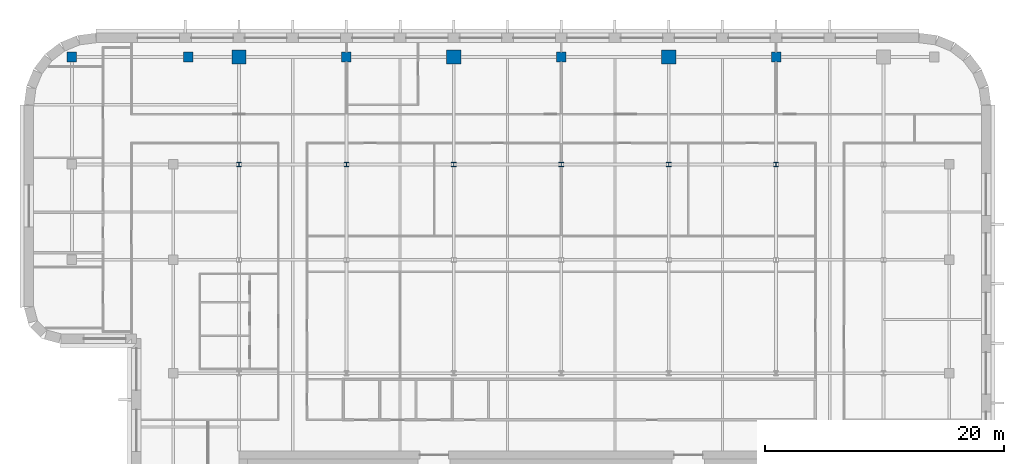
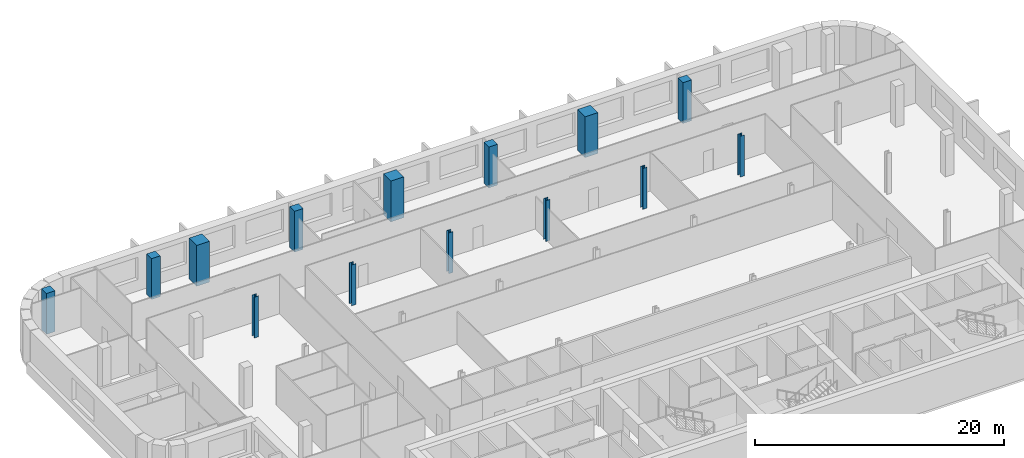
# One storey, part 3 of 16: 14 columns.
"""IFC4 building model written with IfcOpenShell, lengths in metres."""

from ifc_helpers import new_model, si_unit, direction, frame, origin, origin_2d, place, context, subcontext, project, spatial, rectangle, i_section, extrude, material, material_profile, profile_set, type_object, element, save


model = new_model("IFC4")

# Units and contexts
model_context = context("Model", 3, precision=1e-05, world=origin(), true_north=direction((0.0, 1.0)))
body_context = subcontext(model_context, "Body", "Model", "MODEL_VIEW")
ifc_project = project(units=[si_unit("LENGTHUNIT", "METRE"), si_unit("AREAUNIT", "SQUARE_METRE"), si_unit("VOLUMEUNIT", "CUBIC_METRE"), si_unit("PLANEANGLEUNIT", "RADIAN"), si_unit("MASSUNIT", "GRAM", prefix="KILO")], contexts=[model_context])

# Site, building, storey
site_placement = place(None, origin())
site = spatial("IfcSite", under=ifc_project, at=site_placement, CompositionType="ELEMENT")
building_placement = place(site_placement, origin())
building = spatial("IfcBuilding", under=site, at=building_placement, Name="Zellij Exchange Tower", CompositionType="ELEMENT")
storey_placement = place(building_placement, frame((0.0, 0.0, 236.5)))
storey = spatial("IfcBuildingStorey", under=building, at=storey_placement, Name="L55", CompositionType="ELEMENT", Elevation=236.5)

# Columns
ifc_material_1 = material(Name="Concrete C50/60", Category="concrete")
ifc_material_profile_1 = material_profile(ifc_material_1, rectangle(XDim=0.800048828125, YDim=0.800048828125, at=origin_2d()), Name="STR-COLUMN RC800x800 C50/60")
ifc_profile_set_1 = profile_set([ifc_material_profile_1], Name="Concrete C50/60")
column_type_1 = type_object("IfcColumnType", Name="STR-COLUMN RC800x800 C50/60", PredefinedType="COLUMN", material=ifc_profile_set_1)
for number, where, z_axis, x_axis, name in (
    (1, (-41.0, 31.0, 0.0), (0.0, 0.0, 1.0), (1.0, 0.0, 0.0), "C15"),
    (2, (-31.25, 31.0, 0.0), (0.0, 0.0, 1.0), (1.0, 0.0, 0.0), "C15"),
    (3, (-18.0, 31.0, 0.0), (0.0, 0.0, 1.0), (1.0, 0.0, 0.0), "C15"),
    (4, (0.0, 31.0, 0.0), (0.0, 0.0, 1.0), (1.0, 0.0, 0.0), "C15"),
    (5, (18.0, 31.0, 0.0), (0.0, 0.0, 1.0), (1.0, 0.0, 0.0), "C15"),
):
    element("IfcColumn", number, at=place(storey_placement, frame(where, z_axis=z_axis, x_axis=x_axis)), inside=storey, type_object=column_type_1, Name=name, PredefinedType="COLUMN", context=body_context, shape_type="SweptSolid", body=[
        extrude(rectangle(XDim=0.800048828125, YDim=0.800048828125, at=origin_2d()), origin(), (0.0, 0.0, 1.0), 4.0),
    ])
ifc_material_2 = material(Name="Structural steel ASTM A992 Gr 50", Category="steel")
ifc_material_profile_2 = material_profile(ifc_material_2, i_section(OverallWidth=0.398681640625, OverallDepth=0.385986328125, WebThickness=0.02099609375, FlangeThickness=0.033203125, at=origin_2d()), Name="W14x176")
ifc_profile_set_2 = profile_set([ifc_material_profile_2], Name="Structural steel ASTM A992 Gr 50")
column_type_2 = type_object("IfcColumnType", Name="STR-COLUMN W14x176", PredefinedType="COLUMN", material=ifc_profile_set_2)
for number, where, z_axis, x_axis, name in (
    (6, (-27.0, 22.0, 0.0), (0.0, 0.0, 1.0), (1.0, 0.0, 0.0), "C2"),
    (7, (-18.0, 22.0, 0.0), (0.0, 0.0, 1.0), (1.0, 0.0, 0.0), "C2"),
    (8, (-9.0, 22.0, 0.0), (0.0, 0.0, 1.0), (1.0, 0.0, 0.0), "C2"),
    (9, (0.0, 22.0, 0.0), (0.0, 0.0, 1.0), (1.0, 0.0, 0.0), "C2"),
    (10, (9.0, 22.0, 0.0), (0.0, 0.0, 1.0), (1.0, 0.0, 0.0), "C2"),
    (11, (18.0, 22.0, 0.0), (0.0, 0.0, 1.0), (1.0, 0.0, 0.0), "C2"),
):
    element("IfcColumn", number, at=place(storey_placement, frame(where, z_axis=z_axis, x_axis=x_axis)), inside=storey, type_object=column_type_2, Name=name, PredefinedType="COLUMN", context=body_context, shape_type="SweptSolid", body=[
        extrude(i_section(OverallWidth=0.398681640625, OverallDepth=0.385986328125, WebThickness=0.02099609375, FlangeThickness=0.033203125, at=origin_2d()), origin(), (0.0, 0.0, 1.0), 4.0),
    ])
ifc_material_profile_3 = material_profile(ifc_material_1, rectangle(XDim=1.199951171875, YDim=1.199951171875, at=origin_2d()), Name="STR-MEGA COLUMN RC1200x1200 C50/60")
ifc_profile_set_3 = profile_set([ifc_material_profile_3], Name="Concrete C50/60")
column_type_3 = type_object("IfcColumnType", Name="STR-MEGA COLUMN RC1200x1200 C50/60", PredefinedType="COLUMN", material=ifc_profile_set_3)
for number, where, z_axis, x_axis, name in (
    (12, (-27.0, 31.0, 0.0), (0.0, 0.0, 1.0), (1.0, 0.0, 0.0), "MC2"),
    (13, (-9.0, 31.0, 0.0), (0.0, 0.0, 1.0), (1.0, 0.0, 0.0), "MC2"),
    (14, (9.0, 31.0, 0.0), (0.0, 0.0, 1.0), (1.0, 0.0, 0.0), "MC2"),
):
    element("IfcColumn", number, at=place(storey_placement, frame(where, z_axis=z_axis, x_axis=x_axis)), inside=storey, type_object=column_type_3, Name=name, PredefinedType="COLUMN", context=body_context, shape_type="SweptSolid", body=[
        extrude(rectangle(XDim=1.199951171875, YDim=1.199951171875, at=origin_2d()), origin(), (0.0, 0.0, 1.0), 4.0),
    ])

save(model, "model.ifc")
